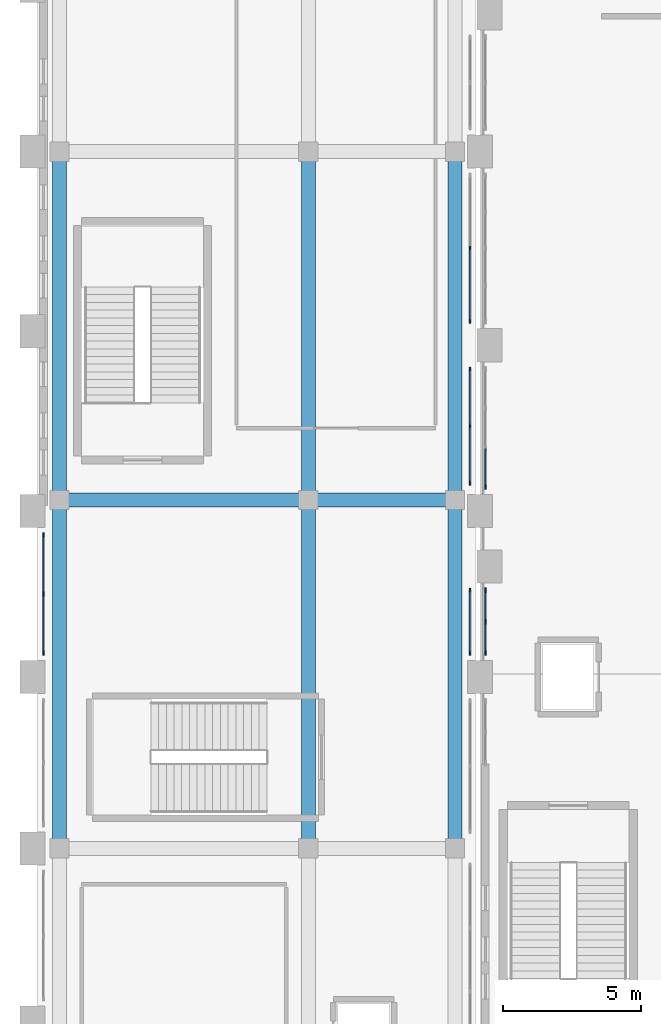
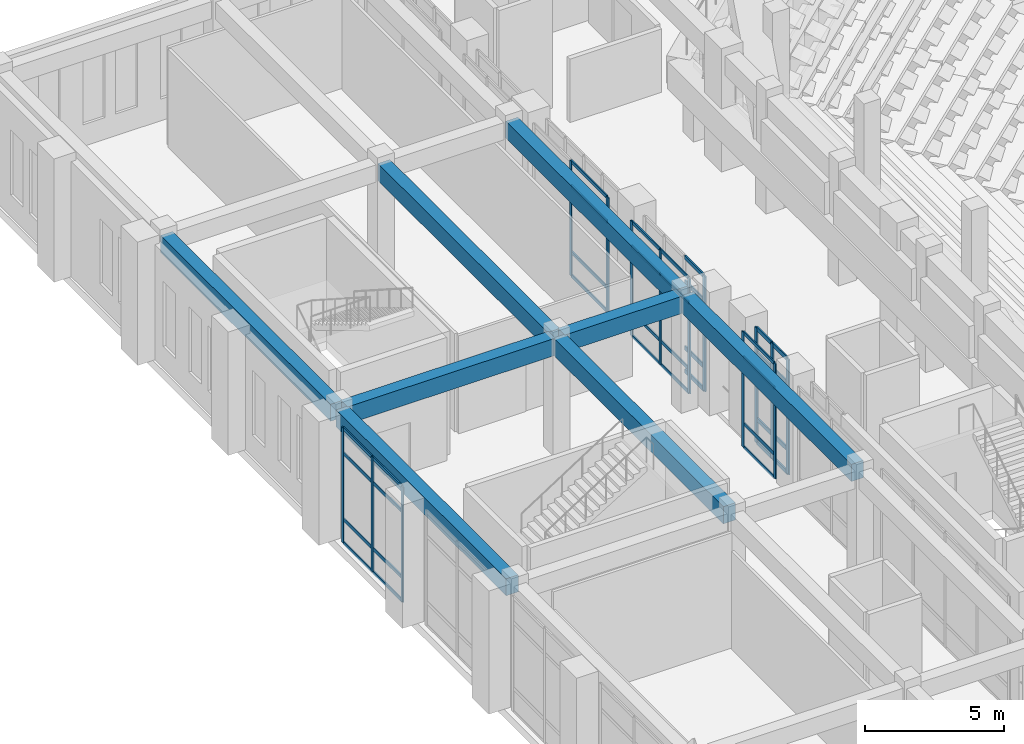
# One storey, part 45 of 159: 50 members, 8 beams, 6 elements without a shape of their own.
"""IFC4 building model written with IfcOpenShell, lengths in metres."""

from ifc_helpers import new_model, si_unit, derived_unit, direction, frame, origin, origin_2d, place, context, subcontext, project, spatial, rectangle, extrude, material, layer, layer_set, material_profile, profile_set, type_object, element, aggregate, save


model = new_model("IFC4")

# Units and contexts
model_context = context("Model", 3, precision=1e-05, world=origin(), true_north=direction((0.0, 1.0)))
body_context = subcontext(model_context, "Body", "Model", "MODEL_VIEW")
ifc_project = project(units=[si_unit("LENGTHUNIT", "METRE"), si_unit("AREAUNIT", "SQUARE_METRE"), si_unit("VOLUMEUNIT", "CUBIC_METRE"), si_unit("PLANEANGLEUNIT", "RADIAN"), si_unit("MASSUNIT", "GRAM", prefix="KILO"), derived_unit("THERMALTRANSMITTANCEUNIT", [(si_unit("MASSUNIT", "GRAM", prefix="KILO"), 1), (si_unit("TIMEUNIT", "SECOND"), -3), (si_unit("THERMODYNAMICTEMPERATUREUNIT", "KELVIN"), -1)])], contexts=[model_context])

# Site, building, storey
site_placement = place(None, origin())
site = spatial("IfcSite", under=ifc_project, at=site_placement, CompositionType="ELEMENT")
building_placement = place(site_placement, origin())
building = spatial("IfcBuilding", under=site, at=building_placement, Name="Valcora Ridge Arena", CompositionType="ELEMENT")
storey_placement = place(building_placement, frame((0.0, 0.0, 6.0)))
storey = spatial("IfcBuildingStorey", under=building, at=storey_placement, Name="L01", CompositionType="ELEMENT", Elevation=6.0)

# Beams
ifc_material_1 = material(Name="Concrete C40/50", Category="concrete")
ifc_material_profile_1 = material_profile(ifc_material_1, rectangle(XDim=0.5, YDim=0.75, at=origin_2d()), Name="RC 500x750")
ifc_profile_set_1 = profile_set([ifc_material_profile_1], Name="Concrete C40/50")
beam_type_1 = type_object("IfcBeamType", Name="TY-BEAM-B-RC500-X", PredefinedType="BEAM", material=ifc_profile_set_1)
beam_1_placement = place(storey_placement, frame((1.0, 70.39990234375, 4.6650390625), z_axis=(1.0, 0.0, 0.0), x_axis=(0.0, 1.0, 0.0)))
element("IfcBeam", 1, at=beam_1_placement, inside=storey, type_object=beam_type_1, Name="B-RC500-X BEM-B-RC500-X-0049", PredefinedType="BEAM", context=body_context, shape_type="SweptSolid", body=[
    extrude(rectangle(XDim=0.5, YDim=0.75, at=origin_2d()), origin(), (0.0, 0.0, 1.0), 8.60009765625),
])
beam_2_placement = place(storey_placement, frame((10.0, 70.39990234375, 4.6650390625), z_axis=(1.0, 0.0, 0.0), x_axis=(0.0, 1.0, 0.0)))
element("IfcBeam", 2, at=beam_2_placement, inside=storey, type_object=beam_type_1, Name="B-RC500-X BEM-B-RC500-X-0050", PredefinedType="BEAM", context=body_context, shape_type="SweptSolid", body=[
    extrude(rectangle(XDim=0.5, YDim=0.75, at=origin_2d()), origin(), (0.0, 0.0, 1.0), 4.89990234375),
])
ifc_material_profile_2 = material_profile(ifc_material_1, rectangle(XDim=0.5, YDim=0.75, at=origin_2d()), Name="RC 500x750")
ifc_profile_set_2 = profile_set([ifc_material_profile_2], Name="Concrete C40/50")
beam_type_2 = type_object("IfcBeamType", Name="TY-BEAM-B-RC500-Y", PredefinedType="BEAM", material=ifc_profile_set_2)
for number, where, z_axis, x_axis, name in (
    (3, (0.800048828125, 58.0, 4.6650390625), (0.0, 1.0, 0.0), (-1.0, 0.0, 0.0), "B-RC500-Y BEM-B-RC500-Y-0039"),
    (4, (0.800048828125, 70.60009765625, 4.6650390625), (0.0, 1.0, 0.0), (-1.0, 0.0, 0.0), "B-RC500-Y BEM-B-RC500-Y-0040"),
    (5, (9.800048828125, 58.0, 4.6650390625), (0.0, 1.0, 0.0), (-1.0, 0.0, 0.0), "B-RC500-Y BEM-B-RC500-Y-0047"),
    (6, (9.800048828125, 70.60009765625, 4.6650390625), (0.0, 1.0, 0.0), (-1.0, 0.0, 0.0), "B-RC500-Y BEM-B-RC500-Y-0048"),
    (7, (15.10009765625, 58.0, 4.6650390625), (0.0, 1.0, 0.0), (-1.0, 0.0, 0.0), "B-RC500-Y BEM-B-RC500-Y-0054"),
    (8, (15.10009765625, 70.60009765625, 4.6650390625), (0.0, 1.0, 0.0), (-1.0, 0.0, 0.0), "B-RC500-Y BEM-B-RC500-Y-0055"),
):
    element("IfcBeam", number, at=place(storey_placement, frame(where, z_axis=z_axis, x_axis=x_axis)), inside=storey, type_object=beam_type_2, Name=name, PredefinedType="BEAM", context=body_context, shape_type="SweptSolid", body=[
        extrude(rectangle(XDim=0.5, YDim=0.75, at=origin_2d()), origin(), (0.0, 0.0, 1.0), 12.199951171875),
    ])

# Curtain wall, members
ifc_material_2 = material(Name="Anodised dark bronze architectural aluminium 6063-T6", Category="aluminium")
ifc_layer_1 = layer(ifc_material_2, 0.14990234375, Name="Anodised dark bronze architectural aluminium 6063-T6")
ifc_layer_set_1 = layer_set([ifc_layer_1], Name="Anodised dark bronze architectural aluminium 6063-T6")
curtain_wall_type_1 = type_object("IfcCurtainWallType", Name="TY-CURTAINWALL-CW-V4-CLUB-043X50", PredefinedType="NOTDEFINED", material=ifc_layer_set_1)
curtain_wall_1_placement = place(storey_placement, origin())
curtain_wall_1 = element("IfcCurtainWall", 9, at=curtain_wall_1_placement, inside=storey, type_object=curtain_wall_type_1, Name="CW-V4-CLUB-043X50 CW-0229", PredefinedType="NOTDEFINED")
ifc_material_profile_3 = material_profile(ifc_material_2, rectangle(XDim=0.050048828125, YDim=0.14990234375, at=origin_2d()), Name="ALU MULLION 50x150")
ifc_profile_set_3 = profile_set([ifc_material_profile_3], Name="Anodised dark bronze architectural aluminium 6063-T6")
member_type_1 = type_object("IfcMemberType", Name="TY-MEM-CWM-50x150", PredefinedType="MULLION", material=ifc_profile_set_3)
member_1_placement = place(storey_placement, frame((0.219970703125, 64.864990234375, 0.0), z_axis=(0.0, 0.0, 1.0), x_axis=(-1.0, 0.0, 0.0)))
member_1 = element("IfcMember", 10, at=member_1_placement, type_object=member_type_1, Name="CW-0229/CWM-50x150/M00", PredefinedType="MULLION", context=body_context, shape_type="SweptSolid", body=[
    extrude(rectangle(XDim=0.050048828125, YDim=0.14990234375, at=origin_2d()), origin(), (0.0, 0.0, 1.0), 5.0400390625),
])
member_2_placement = place(storey_placement, frame((0.219970703125, 67.0, 0.0), z_axis=(0.0, 0.0, 1.0), x_axis=(-1.0, 0.0, 0.0)))
member_2 = element("IfcMember", 11, at=member_2_placement, type_object=member_type_1, Name="CW-0229/CWM-50x150/M01", PredefinedType="MULLION", context=body_context, shape_type="SweptSolid", body=[
    extrude(rectangle(XDim=0.050048828125, YDim=0.14990234375, at=origin_2d()), origin(), (0.0, 0.0, 1.0), 5.0400390625),
])
member_3_placement = place(storey_placement, frame((0.219970703125, 69.135009765625, 0.0), z_axis=(0.0, 0.0, 1.0), x_axis=(-1.0, 0.0, 0.0)))
member_3 = element("IfcMember", 12, at=member_3_placement, type_object=member_type_1, Name="CW-0229/CWM-50x150/M02", PredefinedType="MULLION", context=body_context, shape_type="SweptSolid", body=[
    extrude(rectangle(XDim=0.050048828125, YDim=0.14990234375, at=origin_2d()), origin(), (0.0, 0.0, 1.0), 5.0400390625),
])

ifc_layer_2 = layer(ifc_material_2, 0.14990234375, Name="Anodised dark bronze architectural aluminium 6063-T6")
ifc_layer_set_2 = layer_set([ifc_layer_2], Name="Anodised dark bronze architectural aluminium 6063-T6")
curtain_wall_type_2 = type_object("IfcCurtainWallType", Name="TY-CURTAINWALL-CW-V4-CLUB-023X50", PredefinedType="NOTDEFINED", material=ifc_layer_set_2)
curtain_wall_2_placement = place(storey_placement, origin())
curtain_wall_2 = element("IfcCurtainWall", 13, at=curtain_wall_2_placement, inside=storey, type_object=curtain_wall_type_2, Name="CW-V4-CLUB-023X50 CW-0232", PredefinedType="NOTDEFINED")
member_4_placement = place(storey_placement, frame((15.64990234375, 64.864990234375, 0.0), z_axis=(0.0, 0.0, 1.0), x_axis=(-1.0, 0.0, 0.0)))
member_4 = element("IfcMember", 14, at=member_4_placement, type_object=member_type_1, Name="CW-0232/CWM-50x150/M00", PredefinedType="MULLION", context=body_context, shape_type="SweptSolid", body=[
    extrude(rectangle(XDim=0.050048828125, YDim=0.14990234375, at=origin_2d()), origin(), (0.0, 0.0, 1.0), 5.0400390625),
])
member_5_placement = place(storey_placement, frame((15.64990234375, 67.135009765625, 0.0), z_axis=(0.0, 0.0, 1.0), x_axis=(-1.0, 0.0, 0.0)))
member_5 = element("IfcMember", 15, at=member_5_placement, type_object=member_type_1, Name="CW-0232/CWM-50x150/M01", PredefinedType="MULLION", context=body_context, shape_type="SweptSolid", body=[
    extrude(rectangle(XDim=0.050048828125, YDim=0.14990234375, at=origin_2d()), origin(), (0.0, 0.0, 1.0), 5.0400390625),
])

ifc_layer_3 = layer(ifc_material_2, 0.14990234375, Name="Anodised dark bronze architectural aluminium 6063-T6")
ifc_layer_set_3 = layer_set([ifc_layer_3], Name="Anodised dark bronze architectural aluminium 6063-T6")
curtain_wall_type_3 = type_object("IfcCurtainWallType", Name="TY-CURTAINWALL-CW-V4-CLUB-042X50", PredefinedType="NOTDEFINED", material=ifc_layer_set_3)
curtain_wall_3_placement = place(storey_placement, origin())
curtain_wall_3 = element("IfcCurtainWall", 16, at=curtain_wall_3_placement, inside=storey, type_object=curtain_wall_type_3, Name="CW-V4-CLUB-042X50 CW-0233", PredefinedType="NOTDEFINED")
member_6_placement = place(storey_placement, frame((15.64990234375, 71.014892578125, 0.0), z_axis=(0.0, 0.0, 1.0), x_axis=(-1.0, 0.0, 0.0)))
member_6 = element("IfcMember", 17, at=member_6_placement, type_object=member_type_1, Name="CW-0233/CWM-50x150/M00", PredefinedType="MULLION", context=body_context, shape_type="SweptSolid", body=[
    extrude(rectangle(XDim=0.050048828125, YDim=0.14990234375, at=origin_2d()), origin(), (0.0, 0.0, 1.0), 5.0400390625),
])
member_7_placement = place(storey_placement, frame((15.64990234375, 73.074951171875, 0.0), z_axis=(0.0, 0.0, 1.0), x_axis=(-1.0, 0.0, 0.0)))
member_7 = element("IfcMember", 18, at=member_7_placement, type_object=member_type_1, Name="CW-0233/CWM-50x150/M01", PredefinedType="MULLION", context=body_context, shape_type="SweptSolid", body=[
    extrude(rectangle(XDim=0.050048828125, YDim=0.14990234375, at=origin_2d()), origin(), (0.0, 0.0, 1.0), 5.0400390625),
])
member_8_placement = place(storey_placement, frame((15.64990234375, 75.135009765625, 0.0), z_axis=(0.0, 0.0, 1.0), x_axis=(-1.0, 0.0, 0.0)))
member_8 = element("IfcMember", 19, at=member_8_placement, type_object=member_type_1, Name="CW-0233/CWM-50x150/M02", PredefinedType="MULLION", context=body_context, shape_type="SweptSolid", body=[
    extrude(rectangle(XDim=0.050048828125, YDim=0.14990234375, at=origin_2d()), origin(), (0.0, 0.0, 1.0), 5.0400390625),
])

ifc_layer_4 = layer(ifc_material_2, 0.14990234375, Name="Anodised dark bronze architectural aluminium 6063-T6")
ifc_layer_set_4 = layer_set([ifc_layer_4], Name="Anodised dark bronze architectural aluminium 6063-T6")
curtain_wall_type_4 = type_object("IfcCurtainWallType", Name="TY-CURTAINWALL-CW-V4-CLUB-053X50", PredefinedType="NOTDEFINED", material=ifc_layer_set_4)
curtain_wall_4_placement = place(storey_placement, origin())
curtain_wall_4 = element("IfcCurtainWall", 20, at=curtain_wall_4_placement, inside=storey, type_object=curtain_wall_type_4, Name="CW-V4-CLUB-053X50 CW-0234", PredefinedType="NOTDEFINED")
member_9_placement = place(storey_placement, frame((15.64990234375, 76.864990234375, 0.0), z_axis=(0.0, 0.0, 1.0), x_axis=(-1.0, 0.0, 0.0)))
member_9 = element("IfcMember", 21, at=member_9_placement, type_object=member_type_1, Name="CW-0234/CWM-50x150/M00", PredefinedType="MULLION", context=body_context, shape_type="SweptSolid", body=[
    extrude(rectangle(XDim=0.050048828125, YDim=0.14990234375, at=origin_2d()), origin(), (0.0, 0.0, 1.0), 5.0400390625),
])
member_10_placement = place(storey_placement, frame((15.64990234375, 79.5, 0.0), z_axis=(0.0, 0.0, 1.0), x_axis=(-1.0, 0.0, 0.0)))
member_10 = element("IfcMember", 22, at=member_10_placement, type_object=member_type_1, Name="CW-0234/CWM-50x150/M01", PredefinedType="MULLION", context=body_context, shape_type="SweptSolid", body=[
    extrude(rectangle(XDim=0.050048828125, YDim=0.14990234375, at=origin_2d()), origin(), (0.0, 0.0, 1.0), 5.0400390625),
])

ifc_layer_5 = layer(ifc_material_2, 0.179931640625, Name="Anodised dark bronze architectural aluminium 6063-T6")
ifc_layer_set_5 = layer_set([ifc_layer_5], Name="Anodised dark bronze architectural aluminium 6063-T6")
curtain_wall_type_5 = type_object("IfcCurtainWallType", Name="TY-CURTAINWALL-CW-V1-GOTH-023X50", PredefinedType="NOTDEFINED", material=ifc_layer_set_5)
curtain_wall_5_placement = place(storey_placement, origin())
curtain_wall_5 = element("IfcCurtainWall", 23, at=curtain_wall_5_placement, inside=storey, type_object=curtain_wall_type_5, Name="CW-V1-GOTH-023X50 CW-0093", PredefinedType="NOTDEFINED")
ifc_material_profile_4 = material_profile(ifc_material_2, rectangle(XDim=0.06005859375, YDim=0.179931640625, at=origin_2d()), Name="ALU MULLION 60x180")
ifc_profile_set_4 = profile_set([ifc_material_profile_4], Name="Anodised dark bronze architectural aluminium 6063-T6")
member_type_2 = type_object("IfcMemberType", Name="TY-MEM-CWM-60x180", PredefinedType="MULLION", material=ifc_profile_set_4)
member_11_placement = place(storey_placement, frame((16.199951171875, 64.8701171875, 0.0), z_axis=(0.0, 0.0, 1.0), x_axis=(-1.0, 0.0, 0.0)))
member_11 = element("IfcMember", 24, at=member_11_placement, type_object=member_type_2, Name="CW-0093/CWM-60x180/M00", PredefinedType="MULLION", context=body_context, shape_type="SweptSolid", body=[
    extrude(rectangle(XDim=0.06005859375, YDim=0.179931640625, at=origin_2d()), origin(), (0.0, 0.0, 1.0), 5.0400390625),
])
member_12_placement = place(storey_placement, frame((16.199951171875, 66.0, 0.0), z_axis=(0.0, 0.0, 1.0), x_axis=(-1.0, 0.0, 0.0)))
member_12 = element("IfcMember", 25, at=member_12_placement, type_object=member_type_2, Name="CW-0093/CWM-60x180/M01", PredefinedType="MULLION", context=body_context, shape_type="SweptSolid", body=[
    extrude(rectangle(XDim=0.06005859375, YDim=0.179931640625, at=origin_2d()), origin(), (0.0, 0.0, 1.0), 5.0400390625),
])
member_13_placement = place(storey_placement, frame((16.199951171875, 67.1298828125, 0.0), z_axis=(0.0, 0.0, 1.0), x_axis=(-1.0, 0.0, 0.0)))
member_13 = element("IfcMember", 26, at=member_13_placement, type_object=member_type_2, Name="CW-0093/CWM-60x180/M02", PredefinedType="MULLION", context=body_context, shape_type="SweptSolid", body=[
    extrude(rectangle(XDim=0.06005859375, YDim=0.179931640625, at=origin_2d()), origin(), (0.0, 0.0, 1.0), 5.0400390625),
])

# Curtain wall, member
ifc_layer_6 = layer(ifc_material_2, 0.179931640625, Name="Anodised dark bronze architectural aluminium 6063-T6")
ifc_layer_set_6 = layer_set([ifc_layer_6], Name="Anodised dark bronze architectural aluminium 6063-T6")
curtain_wall_type_6 = type_object("IfcCurtainWallType", Name="TY-CURTAINWALL-CW-V1-GOTH-043X50", PredefinedType="NOTDEFINED", material=ifc_layer_set_6)
curtain_wall_6_placement = place(storey_placement, origin())
curtain_wall_6 = element("IfcCurtainWall", 27, at=curtain_wall_6_placement, inside=storey, type_object=curtain_wall_type_6, Name="CW-V1-GOTH-043X50 CW-0094", PredefinedType="NOTDEFINED")
member_14_placement = place(storey_placement, frame((16.199951171875, 70.8701171875, 0.0), z_axis=(0.0, 0.0, 1.0), x_axis=(-1.0, 0.0, 0.0)))
member_14 = element("IfcMember", 28, at=member_14_placement, type_object=member_type_2, Name="CW-0094/CWM-60x180/M00", PredefinedType="MULLION", context=body_context, shape_type="SweptSolid", body=[
    extrude(rectangle(XDim=0.06005859375, YDim=0.179931640625, at=origin_2d()), origin(), (0.0, 0.0, 1.0), 5.0400390625),
])

# Member
ifc_material_profile_5 = material_profile(ifc_material_2, rectangle(XDim=0.050048828125, YDim=0.14990234375, at=origin_2d()), Name="ALU TRANSOM 50x150")
ifc_profile_set_5 = profile_set([ifc_material_profile_5], Name="Anodised dark bronze architectural aluminium 6063-T6")
member_type_3 = type_object("IfcMemberType", Name="TY-MEM-CWT-50x150", PredefinedType="USERDEFINED", material=ifc_profile_set_5)
member_15_placement = place(storey_placement, frame((0.219970703125, 64.889892578125, 0.02490234375), z_axis=(0.0, 1.0, 0.0), x_axis=(-1.0, 0.0, 0.0)))
member_15 = element("IfcMember", 29, at=member_15_placement, type_object=member_type_3, Name="CW-0229/CWT-50x150/T00-00", ObjectType="TRANSOM", PredefinedType="USERDEFINED", context=body_context, shape_type="SweptSolid", body=[
    extrude(rectangle(XDim=0.050048828125, YDim=0.14990234375, at=origin_2d()), origin(), (0.0, 0.0, 1.0), 2.085205078125),
])

member_16_placement = place(storey_placement, frame((0.219970703125, 64.889892578125, 1.050048828125), z_axis=(0.0, 1.0, 0.0), x_axis=(-1.0, 0.0, 0.0)))
member_16 = element("IfcMember", 30, at=member_16_placement, type_object=member_type_3, Name="CW-0229/CWT-50x150/T00-01", ObjectType="TRANSOM", PredefinedType="USERDEFINED", context=body_context, shape_type="SweptSolid", body=[
    extrude(rectangle(XDim=0.050048828125, YDim=0.14990234375, at=origin_2d()), origin(), (0.0, 0.0, 1.0), 2.085205078125),
])

member_17_placement = place(storey_placement, frame((0.219970703125, 64.889892578125, 3.93994140625), z_axis=(0.0, 1.0, 0.0), x_axis=(-1.0, 0.0, 0.0)))
member_17 = element("IfcMember", 31, at=member_17_placement, type_object=member_type_3, Name="CW-0229/CWT-50x150/T00-02", ObjectType="TRANSOM", PredefinedType="USERDEFINED", context=body_context, shape_type="SweptSolid", body=[
    extrude(rectangle(XDim=0.050048828125, YDim=0.14990234375, at=origin_2d()), origin(), (0.0, 0.0, 1.0), 2.085205078125),
])

member_18_placement = place(storey_placement, frame((0.219970703125, 64.889892578125, 5.014892578125), z_axis=(0.0, 1.0, 0.0), x_axis=(-1.0, 0.0, 0.0)))
member_18 = element("IfcMember", 32, at=member_18_placement, type_object=member_type_3, Name="CW-0229/CWT-50x150/T00-03", ObjectType="TRANSOM", PredefinedType="USERDEFINED", context=body_context, shape_type="SweptSolid", body=[
    extrude(rectangle(XDim=0.050048828125, YDim=0.14990234375, at=origin_2d()), origin(), (0.0, 0.0, 1.0), 2.085205078125),
])

member_19_placement = place(storey_placement, frame((0.219970703125, 67.02490234375, 0.02490234375), z_axis=(0.0, 1.0, 0.0), x_axis=(-1.0, 0.0, 0.0)))
member_19 = element("IfcMember", 33, at=member_19_placement, type_object=member_type_3, Name="CW-0229/CWT-50x150/T01-00", ObjectType="TRANSOM", PredefinedType="USERDEFINED", context=body_context, shape_type="SweptSolid", body=[
    extrude(rectangle(XDim=0.050048828125, YDim=0.14990234375, at=origin_2d()), origin(), (0.0, 0.0, 1.0), 2.085205078125),
])

member_20_placement = place(storey_placement, frame((0.219970703125, 67.02490234375, 1.050048828125), z_axis=(0.0, 1.0, 0.0), x_axis=(-1.0, 0.0, 0.0)))
member_20 = element("IfcMember", 34, at=member_20_placement, type_object=member_type_3, Name="CW-0229/CWT-50x150/T01-01", ObjectType="TRANSOM", PredefinedType="USERDEFINED", context=body_context, shape_type="SweptSolid", body=[
    extrude(rectangle(XDim=0.050048828125, YDim=0.14990234375, at=origin_2d()), origin(), (0.0, 0.0, 1.0), 2.085205078125),
])

member_21_placement = place(storey_placement, frame((0.219970703125, 67.02490234375, 3.93994140625), z_axis=(0.0, 1.0, 0.0), x_axis=(-1.0, 0.0, 0.0)))
member_21 = element("IfcMember", 35, at=member_21_placement, type_object=member_type_3, Name="CW-0229/CWT-50x150/T01-02", ObjectType="TRANSOM", PredefinedType="USERDEFINED", context=body_context, shape_type="SweptSolid", body=[
    extrude(rectangle(XDim=0.050048828125, YDim=0.14990234375, at=origin_2d()), origin(), (0.0, 0.0, 1.0), 2.085205078125),
])

member_22_placement = place(storey_placement, frame((0.219970703125, 67.02490234375, 5.014892578125), z_axis=(0.0, 1.0, 0.0), x_axis=(-1.0, 0.0, 0.0)))
member_22 = element("IfcMember", 36, at=member_22_placement, type_object=member_type_3, Name="CW-0229/CWT-50x150/T01-03", ObjectType="TRANSOM", PredefinedType="USERDEFINED", context=body_context, shape_type="SweptSolid", body=[
    extrude(rectangle(XDim=0.050048828125, YDim=0.14990234375, at=origin_2d()), origin(), (0.0, 0.0, 1.0), 2.085205078125),
])

aggregate(curtain_wall_1, [member_1, member_2, member_3, member_15, member_16, member_17, member_18, member_19, member_20, member_21, member_22])

member_23_placement = place(storey_placement, frame((15.64990234375, 64.889892578125, 0.02490234375), z_axis=(0.0, 1.0, 0.0), x_axis=(-1.0, 0.0, 0.0)))
member_23 = element("IfcMember", 37, at=member_23_placement, type_object=member_type_3, Name="CW-0232/CWT-50x150/T00-00", ObjectType="TRANSOM", PredefinedType="USERDEFINED", context=body_context, shape_type="SweptSolid", body=[
    extrude(rectangle(XDim=0.050048828125, YDim=0.14990234375, at=origin_2d()), origin(), (0.0, 0.0, 1.0), 2.22021484375),
])

member_24_placement = place(storey_placement, frame((15.64990234375, 64.889892578125, 1.050048828125), z_axis=(0.0, 1.0, 0.0), x_axis=(-1.0, 0.0, 0.0)))
member_24 = element("IfcMember", 38, at=member_24_placement, type_object=member_type_3, Name="CW-0232/CWT-50x150/T00-01", ObjectType="TRANSOM", PredefinedType="USERDEFINED", context=body_context, shape_type="SweptSolid", body=[
    extrude(rectangle(XDim=0.050048828125, YDim=0.14990234375, at=origin_2d()), origin(), (0.0, 0.0, 1.0), 2.22021484375),
])

member_25_placement = place(storey_placement, frame((15.64990234375, 64.889892578125, 3.93994140625), z_axis=(0.0, 1.0, 0.0), x_axis=(-1.0, 0.0, 0.0)))
member_25 = element("IfcMember", 39, at=member_25_placement, type_object=member_type_3, Name="CW-0232/CWT-50x150/T00-02", ObjectType="TRANSOM", PredefinedType="USERDEFINED", context=body_context, shape_type="SweptSolid", body=[
    extrude(rectangle(XDim=0.050048828125, YDim=0.14990234375, at=origin_2d()), origin(), (0.0, 0.0, 1.0), 2.22021484375),
])

member_26_placement = place(storey_placement, frame((15.64990234375, 64.889892578125, 5.014892578125), z_axis=(0.0, 1.0, 0.0), x_axis=(-1.0, 0.0, 0.0)))
member_26 = element("IfcMember", 40, at=member_26_placement, type_object=member_type_3, Name="CW-0232/CWT-50x150/T00-03", ObjectType="TRANSOM", PredefinedType="USERDEFINED", context=body_context, shape_type="SweptSolid", body=[
    extrude(rectangle(XDim=0.050048828125, YDim=0.14990234375, at=origin_2d()), origin(), (0.0, 0.0, 1.0), 2.22021484375),
])

aggregate(curtain_wall_2, [member_4, member_5, member_23, member_24, member_25, member_26])

member_27_placement = place(storey_placement, frame((15.64990234375, 71.0400390625, 0.02490234375), z_axis=(0.0, 1.0, 0.0), x_axis=(-1.0, 0.0, 0.0)))
member_27 = element("IfcMember", 41, at=member_27_placement, type_object=member_type_3, Name="CW-0233/CWT-50x150/T00-00", ObjectType="TRANSOM", PredefinedType="USERDEFINED", context=body_context, shape_type="SweptSolid", body=[
    extrude(rectangle(XDim=0.050048828125, YDim=0.14990234375, at=origin_2d()), origin(), (0.0, 0.0, 1.0), 2.010009765625),
])

member_28_placement = place(storey_placement, frame((15.64990234375, 71.0400390625, 1.050048828125), z_axis=(0.0, 1.0, 0.0), x_axis=(-1.0, 0.0, 0.0)))
member_28 = element("IfcMember", 42, at=member_28_placement, type_object=member_type_3, Name="CW-0233/CWT-50x150/T00-01", ObjectType="TRANSOM", PredefinedType="USERDEFINED", context=body_context, shape_type="SweptSolid", body=[
    extrude(rectangle(XDim=0.050048828125, YDim=0.14990234375, at=origin_2d()), origin(), (0.0, 0.0, 1.0), 2.010009765625),
])

member_29_placement = place(storey_placement, frame((15.64990234375, 71.0400390625, 3.93994140625), z_axis=(0.0, 1.0, 0.0), x_axis=(-1.0, 0.0, 0.0)))
member_29 = element("IfcMember", 43, at=member_29_placement, type_object=member_type_3, Name="CW-0233/CWT-50x150/T00-02", ObjectType="TRANSOM", PredefinedType="USERDEFINED", context=body_context, shape_type="SweptSolid", body=[
    extrude(rectangle(XDim=0.050048828125, YDim=0.14990234375, at=origin_2d()), origin(), (0.0, 0.0, 1.0), 2.010009765625),
])

member_30_placement = place(storey_placement, frame((15.64990234375, 71.0400390625, 5.014892578125), z_axis=(0.0, 1.0, 0.0), x_axis=(-1.0, 0.0, 0.0)))
member_30 = element("IfcMember", 44, at=member_30_placement, type_object=member_type_3, Name="CW-0233/CWT-50x150/T00-03", ObjectType="TRANSOM", PredefinedType="USERDEFINED", context=body_context, shape_type="SweptSolid", body=[
    extrude(rectangle(XDim=0.050048828125, YDim=0.14990234375, at=origin_2d()), origin(), (0.0, 0.0, 1.0), 2.010009765625),
])

member_31_placement = place(storey_placement, frame((15.64990234375, 73.10009765625, 0.02490234375), z_axis=(0.0, 1.0, 0.0), x_axis=(-1.0, 0.0, 0.0)))
member_31 = element("IfcMember", 45, at=member_31_placement, type_object=member_type_3, Name="CW-0233/CWT-50x150/T01-00", ObjectType="TRANSOM", PredefinedType="USERDEFINED", context=body_context, shape_type="SweptSolid", body=[
    extrude(rectangle(XDim=0.050048828125, YDim=0.14990234375, at=origin_2d()), origin(), (0.0, 0.0, 1.0), 2.010009765625),
])

member_32_placement = place(storey_placement, frame((15.64990234375, 73.10009765625, 1.050048828125), z_axis=(0.0, 1.0, 0.0), x_axis=(-1.0, 0.0, 0.0)))
member_32 = element("IfcMember", 46, at=member_32_placement, type_object=member_type_3, Name="CW-0233/CWT-50x150/T01-01", ObjectType="TRANSOM", PredefinedType="USERDEFINED", context=body_context, shape_type="SweptSolid", body=[
    extrude(rectangle(XDim=0.050048828125, YDim=0.14990234375, at=origin_2d()), origin(), (0.0, 0.0, 1.0), 2.010009765625),
])

member_33_placement = place(storey_placement, frame((15.64990234375, 73.10009765625, 3.93994140625), z_axis=(0.0, 1.0, 0.0), x_axis=(-1.0, 0.0, 0.0)))
member_33 = element("IfcMember", 47, at=member_33_placement, type_object=member_type_3, Name="CW-0233/CWT-50x150/T01-02", ObjectType="TRANSOM", PredefinedType="USERDEFINED", context=body_context, shape_type="SweptSolid", body=[
    extrude(rectangle(XDim=0.050048828125, YDim=0.14990234375, at=origin_2d()), origin(), (0.0, 0.0, 1.0), 2.010009765625),
])

member_34_placement = place(storey_placement, frame((15.64990234375, 73.10009765625, 5.014892578125), z_axis=(0.0, 1.0, 0.0), x_axis=(-1.0, 0.0, 0.0)))
member_34 = element("IfcMember", 48, at=member_34_placement, type_object=member_type_3, Name="CW-0233/CWT-50x150/T01-03", ObjectType="TRANSOM", PredefinedType="USERDEFINED", context=body_context, shape_type="SweptSolid", body=[
    extrude(rectangle(XDim=0.050048828125, YDim=0.14990234375, at=origin_2d()), origin(), (0.0, 0.0, 1.0), 2.010009765625),
])

aggregate(curtain_wall_3, [member_6, member_7, member_8, member_27, member_28, member_29, member_30, member_31, member_32, member_33, member_34])

member_35_placement = place(storey_placement, frame((15.64990234375, 76.889892578125, 0.02490234375), z_axis=(0.0, 1.0, 0.0), x_axis=(-1.0, 0.0, 0.0)))
member_35 = element("IfcMember", 49, at=member_35_placement, type_object=member_type_3, Name="CW-0234/CWT-50x150/T00-00", ObjectType="TRANSOM", PredefinedType="USERDEFINED", context=body_context, shape_type="SweptSolid", body=[
    extrude(rectangle(XDim=0.050048828125, YDim=0.14990234375, at=origin_2d()), origin(), (0.0, 0.0, 1.0), 2.585205078125),
])

member_36_placement = place(storey_placement, frame((15.64990234375, 76.889892578125, 1.050048828125), z_axis=(0.0, 1.0, 0.0), x_axis=(-1.0, 0.0, 0.0)))
member_36 = element("IfcMember", 50, at=member_36_placement, type_object=member_type_3, Name="CW-0234/CWT-50x150/T00-01", ObjectType="TRANSOM", PredefinedType="USERDEFINED", context=body_context, shape_type="SweptSolid", body=[
    extrude(rectangle(XDim=0.050048828125, YDim=0.14990234375, at=origin_2d()), origin(), (0.0, 0.0, 1.0), 2.585205078125),
])

member_37_placement = place(storey_placement, frame((15.64990234375, 76.889892578125, 3.93994140625), z_axis=(0.0, 1.0, 0.0), x_axis=(-1.0, 0.0, 0.0)))
member_37 = element("IfcMember", 51, at=member_37_placement, type_object=member_type_3, Name="CW-0234/CWT-50x150/T00-02", ObjectType="TRANSOM", PredefinedType="USERDEFINED", context=body_context, shape_type="SweptSolid", body=[
    extrude(rectangle(XDim=0.050048828125, YDim=0.14990234375, at=origin_2d()), origin(), (0.0, 0.0, 1.0), 2.585205078125),
])

member_38_placement = place(storey_placement, frame((15.64990234375, 76.889892578125, 5.014892578125), z_axis=(0.0, 1.0, 0.0), x_axis=(-1.0, 0.0, 0.0)))
member_38 = element("IfcMember", 52, at=member_38_placement, type_object=member_type_3, Name="CW-0234/CWT-50x150/T00-03", ObjectType="TRANSOM", PredefinedType="USERDEFINED", context=body_context, shape_type="SweptSolid", body=[
    extrude(rectangle(XDim=0.050048828125, YDim=0.14990234375, at=origin_2d()), origin(), (0.0, 0.0, 1.0), 2.585205078125),
])

aggregate(curtain_wall_4, [member_9, member_10, member_35, member_36, member_37, member_38])

ifc_material_profile_6 = material_profile(ifc_material_2, rectangle(XDim=0.06005859375, YDim=0.179931640625, at=origin_2d()), Name="ALU TRANSOM 60x180")
ifc_profile_set_6 = profile_set([ifc_material_profile_6], Name="Anodised dark bronze architectural aluminium 6063-T6")
member_type_4 = type_object("IfcMemberType", Name="TY-MEM-CWT-60x180", PredefinedType="USERDEFINED", material=ifc_profile_set_6)
member_39_placement = place(storey_placement, frame((16.199951171875, 64.89990234375, 0.030029296875), z_axis=(0.0, 1.0, 0.0), x_axis=(-1.0, 0.0, 0.0)))
member_39 = element("IfcMember", 53, at=member_39_placement, type_object=member_type_4, Name="CW-0093/CWT-60x180/T00-00", ObjectType="TRANSOM", PredefinedType="USERDEFINED", context=body_context, shape_type="SweptSolid", body=[
    extrude(rectangle(XDim=0.06005859375, YDim=0.179931640625, at=origin_2d()), origin(), (0.0, 0.0, 1.0), 1.070068359375),
])

member_40_placement = place(storey_placement, frame((16.199951171875, 64.89990234375, 1.050048828125), z_axis=(0.0, 1.0, 0.0), x_axis=(-1.0, 0.0, 0.0)))
member_40 = element("IfcMember", 54, at=member_40_placement, type_object=member_type_4, Name="CW-0093/CWT-60x180/T00-01", ObjectType="TRANSOM", PredefinedType="USERDEFINED", context=body_context, shape_type="SweptSolid", body=[
    extrude(rectangle(XDim=0.06005859375, YDim=0.179931640625, at=origin_2d()), origin(), (0.0, 0.0, 1.0), 1.070068359375),
])

member_41_placement = place(storey_placement, frame((16.199951171875, 64.89990234375, 3.93994140625), z_axis=(0.0, 1.0, 0.0), x_axis=(-1.0, 0.0, 0.0)))
member_41 = element("IfcMember", 55, at=member_41_placement, type_object=member_type_4, Name="CW-0093/CWT-60x180/T00-02", ObjectType="TRANSOM", PredefinedType="USERDEFINED", context=body_context, shape_type="SweptSolid", body=[
    extrude(rectangle(XDim=0.06005859375, YDim=0.179931640625, at=origin_2d()), origin(), (0.0, 0.0, 1.0), 1.070068359375),
])

member_42_placement = place(storey_placement, frame((16.199951171875, 64.89990234375, 5.010009765625), z_axis=(0.0, 1.0, 0.0), x_axis=(-1.0, 0.0, 0.0)))
member_42 = element("IfcMember", 56, at=member_42_placement, type_object=member_type_4, Name="CW-0093/CWT-60x180/T00-03", ObjectType="TRANSOM", PredefinedType="USERDEFINED", context=body_context, shape_type="SweptSolid", body=[
    extrude(rectangle(XDim=0.06005859375, YDim=0.179931640625, at=origin_2d()), origin(), (0.0, 0.0, 1.0), 1.070068359375),
])

member_43_placement = place(storey_placement, frame((16.199951171875, 66.030029296875, 0.030029296875), z_axis=(0.0, 1.0, 0.0), x_axis=(-1.0, 0.0, 0.0)))
member_43 = element("IfcMember", 57, at=member_43_placement, type_object=member_type_4, Name="CW-0093/CWT-60x180/T01-00", ObjectType="TRANSOM", PredefinedType="USERDEFINED", context=body_context, shape_type="SweptSolid", body=[
    extrude(rectangle(XDim=0.06005859375, YDim=0.179931640625, at=origin_2d()), origin(), (0.0, 0.0, 1.0), 1.070068359375),
])

member_44_placement = place(storey_placement, frame((16.199951171875, 66.030029296875, 1.050048828125), z_axis=(0.0, 1.0, 0.0), x_axis=(-1.0, 0.0, 0.0)))
member_44 = element("IfcMember", 58, at=member_44_placement, type_object=member_type_4, Name="CW-0093/CWT-60x180/T01-01", ObjectType="TRANSOM", PredefinedType="USERDEFINED", context=body_context, shape_type="SweptSolid", body=[
    extrude(rectangle(XDim=0.06005859375, YDim=0.179931640625, at=origin_2d()), origin(), (0.0, 0.0, 1.0), 1.070068359375),
])

member_45_placement = place(storey_placement, frame((16.199951171875, 66.030029296875, 3.93994140625), z_axis=(0.0, 1.0, 0.0), x_axis=(-1.0, 0.0, 0.0)))
member_45 = element("IfcMember", 59, at=member_45_placement, type_object=member_type_4, Name="CW-0093/CWT-60x180/T01-02", ObjectType="TRANSOM", PredefinedType="USERDEFINED", context=body_context, shape_type="SweptSolid", body=[
    extrude(rectangle(XDim=0.06005859375, YDim=0.179931640625, at=origin_2d()), origin(), (0.0, 0.0, 1.0), 1.070068359375),
])

member_46_placement = place(storey_placement, frame((16.199951171875, 66.030029296875, 5.010009765625), z_axis=(0.0, 1.0, 0.0), x_axis=(-1.0, 0.0, 0.0)))
member_46 = element("IfcMember", 60, at=member_46_placement, type_object=member_type_4, Name="CW-0093/CWT-60x180/T01-03", ObjectType="TRANSOM", PredefinedType="USERDEFINED", context=body_context, shape_type="SweptSolid", body=[
    extrude(rectangle(XDim=0.06005859375, YDim=0.179931640625, at=origin_2d()), origin(), (0.0, 0.0, 1.0), 1.070068359375),
])

aggregate(curtain_wall_5, [member_11, member_12, member_13, member_39, member_40, member_41, member_42, member_43, member_44, member_45, member_46])

member_47_placement = place(storey_placement, frame((16.199951171875, 70.89990234375, 0.030029296875), z_axis=(0.0, 1.0, 0.0), x_axis=(-1.0, 0.0, 0.0)))
member_47 = element("IfcMember", 61, at=member_47_placement, type_object=member_type_4, Name="CW-0094/CWT-60x180/T00-00", ObjectType="TRANSOM", PredefinedType="USERDEFINED", context=body_context, shape_type="SweptSolid", body=[
    extrude(rectangle(XDim=0.06005859375, YDim=0.179931640625, at=origin_2d()), origin(), (0.0, 0.0, 1.0), 1.35009765625),
])

member_48_placement = place(storey_placement, frame((16.199951171875, 70.89990234375, 1.050048828125), z_axis=(0.0, 1.0, 0.0), x_axis=(-1.0, 0.0, 0.0)))
member_48 = element("IfcMember", 62, at=member_48_placement, type_object=member_type_4, Name="CW-0094/CWT-60x180/T00-01", ObjectType="TRANSOM", PredefinedType="USERDEFINED", context=body_context, shape_type="SweptSolid", body=[
    extrude(rectangle(XDim=0.06005859375, YDim=0.179931640625, at=origin_2d()), origin(), (0.0, 0.0, 1.0), 1.35009765625),
])

member_49_placement = place(storey_placement, frame((16.199951171875, 70.89990234375, 3.93994140625), z_axis=(0.0, 1.0, 0.0), x_axis=(-1.0, 0.0, 0.0)))
member_49 = element("IfcMember", 63, at=member_49_placement, type_object=member_type_4, Name="CW-0094/CWT-60x180/T00-02", ObjectType="TRANSOM", PredefinedType="USERDEFINED", context=body_context, shape_type="SweptSolid", body=[
    extrude(rectangle(XDim=0.06005859375, YDim=0.179931640625, at=origin_2d()), origin(), (0.0, 0.0, 1.0), 1.35009765625),
])

member_50_placement = place(storey_placement, frame((16.199951171875, 70.89990234375, 5.010009765625), z_axis=(0.0, 1.0, 0.0), x_axis=(-1.0, 0.0, 0.0)))
member_50 = element("IfcMember", 64, at=member_50_placement, type_object=member_type_4, Name="CW-0094/CWT-60x180/T00-03", ObjectType="TRANSOM", PredefinedType="USERDEFINED", context=body_context, shape_type="SweptSolid", body=[
    extrude(rectangle(XDim=0.06005859375, YDim=0.179931640625, at=origin_2d()), origin(), (0.0, 0.0, 1.0), 1.35009765625),
])

aggregate(curtain_wall_6, [member_14, member_47, member_48, member_49, member_50])

save(model, "model.ifc")
